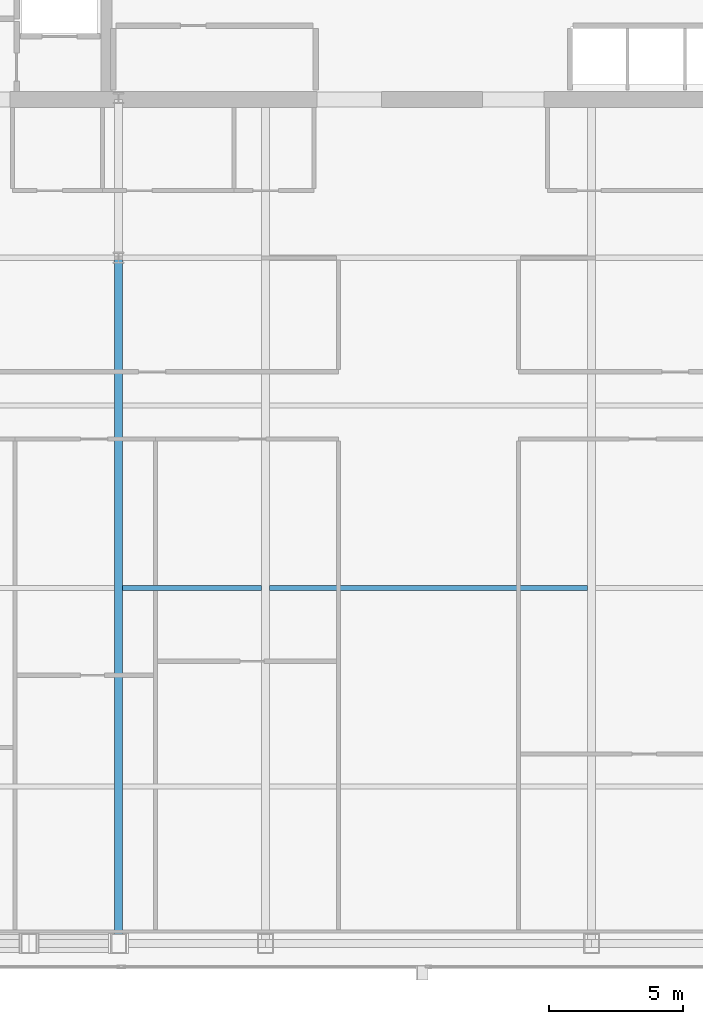
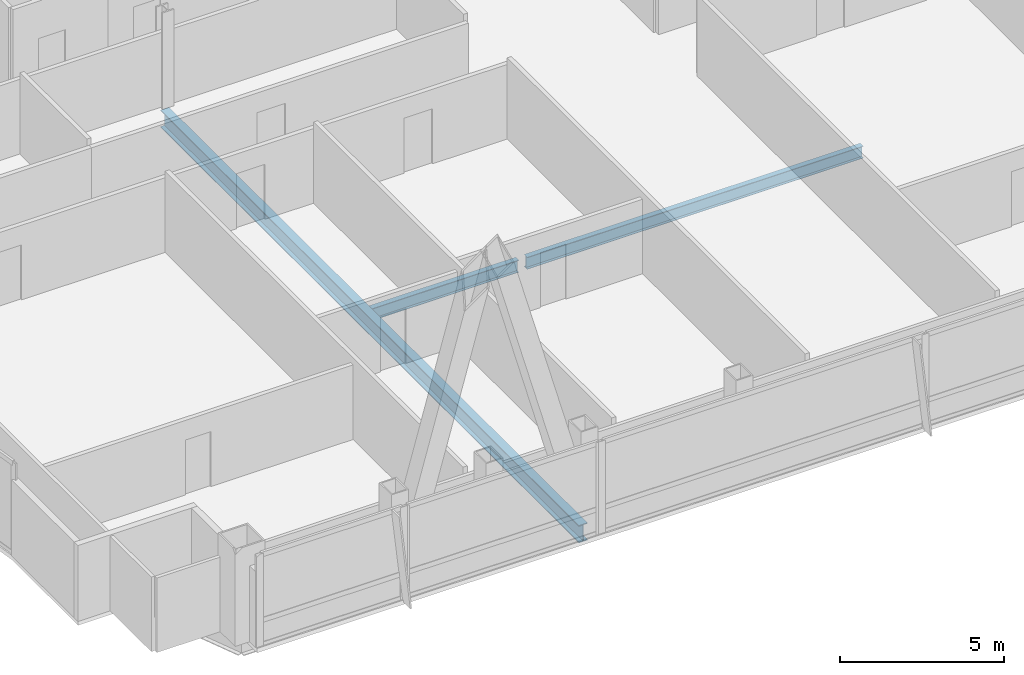
# One storey, part 9 of 31: 3 beams.
"""IFC4 building model written with IfcOpenShell, lengths in metres."""

from ifc_helpers import new_model, si_unit, direction, frame, origin, origin_2d, place, context, subcontext, project, spatial, i_section, extrude, material, material_profile, profile_set, type_object, element, save


model = new_model("IFC4")

# Units and contexts
model_context = context("Model", 3, precision=1e-05, world=origin(), true_north=direction((0.0, 1.0)))
body_context = subcontext(model_context, "Body", "Model", "MODEL_VIEW")
ifc_project = project(units=[si_unit("LENGTHUNIT", "METRE"), si_unit("AREAUNIT", "SQUARE_METRE"), si_unit("VOLUMEUNIT", "CUBIC_METRE"), si_unit("PLANEANGLEUNIT", "RADIAN"), si_unit("MASSUNIT", "GRAM", prefix="KILO")], contexts=[model_context])

# Site, building, storey
site_placement = place(None, origin())
site = spatial("IfcSite", under=ifc_project, at=site_placement, CompositionType="ELEMENT")
building_placement = place(site_placement, origin())
building = spatial("IfcBuilding", under=site, at=building_placement, Name="Khoronbel Lancet Exchange", CompositionType="ELEMENT")
storey_placement = place(building_placement, frame((0.0, 0.0, 249.800048828125)))
storey = spatial("IfcBuildingStorey", under=building, at=storey_placement, Name="L64", CompositionType="ELEMENT", Elevation=249.800048828125)

# Beams
ifc_material = material(Name="Steel S355", Category="steel")
ifc_material_profile_1 = material_profile(ifc_material, i_section(OverallWidth=0.300048828125, OverallDepth=0.64990234375, WebThickness=0.01611328125, FlangeThickness=0.031005859375, at=origin_2d()), Name="HEB 650")
ifc_profile_set_1 = profile_set([ifc_material_profile_1], Name="Steel S355")
beam_type_1 = type_object("IfcBeamType", Name="BM-BG4", PredefinedType="BEAM", material=ifc_profile_set_1)
beam_1_placement = place(storey_placement, frame((24.89990234375, 10.14990234375, -0.485107421875), z_axis=(0.0, 1.0, 0.0), x_axis=(-1.0, 0.0, 0.0)))
element("IfcBeam", 1, at=beam_1_placement, inside=storey, type_object=beam_type_1, Name="Level L64 south primary girder GS2", PredefinedType="BEAM", context=body_context, shape_type="SweptSolid", body=[
    extrude(i_section(OverallWidth=0.300048828125, OverallDepth=0.64990234375, WebThickness=0.01611328125, FlangeThickness=0.031005859375, at=origin_2d()), origin(), (0.0, 0.0, 1.0), 25.550048828125),
])
ifc_material_profile_2 = material_profile(ifc_material, i_section(OverallWidth=0.18994140625, OverallDepth=0.449951171875, WebThickness=0.009521484375, FlangeThickness=0.0146484375, at=origin_2d()), Name="IPE 450")
ifc_profile_set_2 = profile_set([ifc_material_profile_2], Name="Steel S355")
beam_type_2 = type_object("IfcBeamType", Name="BM-BJ4", PredefinedType="JOIST", material=ifc_profile_set_2)
beam_2_placement = place(storey_placement, frame((25.050048828125, 23.39990234375, -0.385009765625), z_axis=(1.0, 0.0, 0.0), x_axis=(0.0, 1.0, 0.0)))
element("IfcBeam", 2, at=beam_2_placement, inside=storey, type_object=beam_type_2, Name="Level L64 secondary composite joist J07", PredefinedType="JOIST", context=body_context, shape_type="SweptSolid", body=[
    extrude(i_section(OverallWidth=0.18994140625, OverallDepth=0.449951171875, WebThickness=0.009521484375, FlangeThickness=0.0146484375, at=origin_2d()), origin(), (0.0, 0.0, 1.0), 5.175048828125),
])
beam_3_placement = place(storey_placement, frame((30.52490234375, 23.39990234375, -0.385009765625), z_axis=(1.0, 0.0, 0.0), x_axis=(0.0, 1.0, 0.0)))
element("IfcBeam", 3, at=beam_3_placement, inside=storey, type_object=beam_type_2, Name="Level L64 secondary composite joist J08", PredefinedType="JOIST", context=body_context, shape_type="SweptSolid", body=[
    extrude(i_section(OverallWidth=0.18994140625, OverallDepth=0.449951171875, WebThickness=0.009521484375, FlangeThickness=0.0146484375, at=origin_2d()), origin(), (0.0, 0.0, 1.0), 11.85009765625),
])

save(model, "model.ifc")
